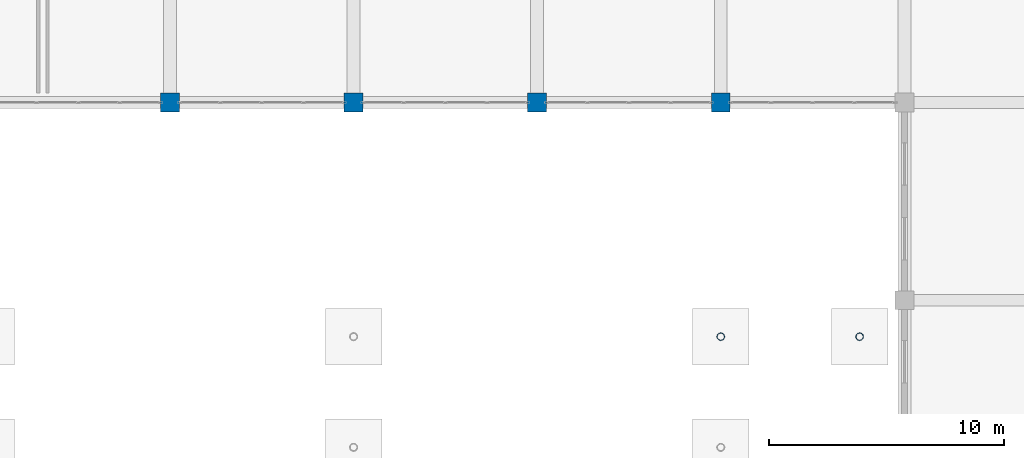
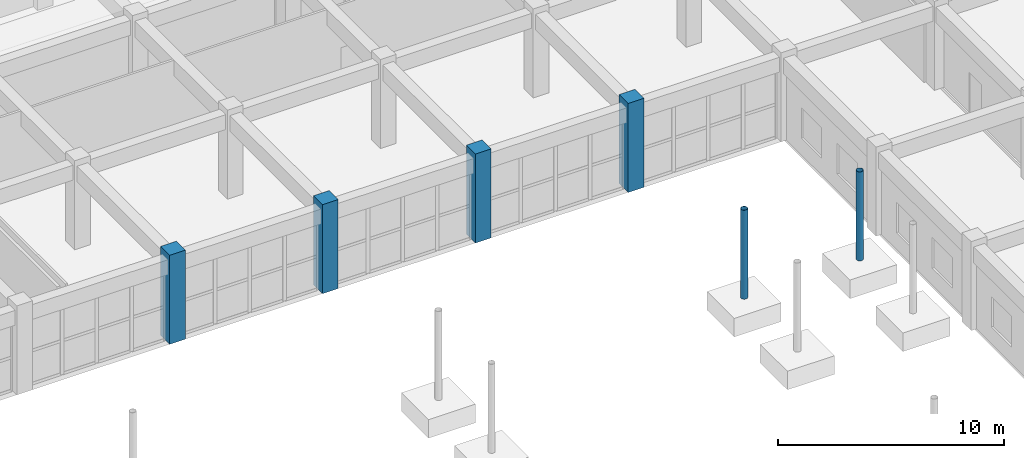
# One storey, part 8 of 139: 6 columns.
"""IFC4 building model written with IfcOpenShell, lengths in metres."""

from ifc_helpers import new_model, si_unit, direction, frame, origin, origin_2d, place, context, subcontext, project, spatial, rectangle, hollow_circle, extrude, material, material_profile, profile_set, type_object, element, save


model = new_model("IFC4")

# Units and contexts
model_context = context("Model", 3, precision=1e-05, world=origin(), true_north=direction((0.0, 1.0)))
body_context = subcontext(model_context, "Body", "Model", "MODEL_VIEW")
ifc_project = project(units=[si_unit("LENGTHUNIT", "METRE"), si_unit("AREAUNIT", "SQUARE_METRE"), si_unit("VOLUMEUNIT", "CUBIC_METRE"), si_unit("PLANEANGLEUNIT", "RADIAN"), si_unit("MASSUNIT", "GRAM", prefix="KILO")], contexts=[model_context])

# Site, building, storey
site_placement = place(None, origin())
site = spatial("IfcSite", under=ifc_project, at=site_placement, CompositionType="ELEMENT")
building_placement = place(site_placement, origin())
building = spatial("IfcBuilding", under=site, at=building_placement, Name="Zizhar Promenade General Hospital", CompositionType="ELEMENT")
storey_placement = place(building_placement, origin())
storey = spatial("IfcBuildingStorey", under=building, at=storey_placement, Name="L00", CompositionType="ELEMENT", Elevation=0.0)

# Columns
ifc_material_1 = material(Name="Concrete C40/50", Category="concrete")
ifc_material_profile_1 = material_profile(ifc_material_1, rectangle(XDim=0.800048828125, YDim=0.800048828125, at=origin_2d()))
ifc_profile_set_1 = profile_set([ifc_material_profile_1], Name="Concrete C40/50")
column_type_1 = type_object("IfcColumnType", Name="COL-RC-800", PredefinedType="COLUMN", material=ifc_profile_set_1)
for number, where, z_axis, x_axis, name in (
    (1, (93.60009765625, 92.39990234375, 0.0), (0.0, 0.0, 1.0), (1.0, 0.0, 0.0), "Column 13-M (L00)"),
    (2, (101.39990234375, 92.39990234375, 0.0), (0.0, 0.0, 1.0), (1.0, 0.0, 0.0), "Column 14-M (L00)"),
    (3, (109.199951171875, 92.39990234375, 0.0), (0.0, 0.0, 1.0), (1.0, 0.0, 0.0), "Column 15-M (L00)"),
    (4, (117.0, 92.39990234375, 0.0), (0.0, 0.0, 1.0), (1.0, 0.0, 0.0), "Column 16-M (L00)"),
):
    element("IfcColumn", number, at=place(storey_placement, frame(where, z_axis=z_axis, x_axis=x_axis)), inside=storey, type_object=column_type_1, Name=name, PredefinedType="COLUMN", context=body_context, shape_type="SweptSolid", body=[
        extrude(rectangle(XDim=0.800048828125, YDim=0.800048828125, at=origin_2d()), origin(), (0.0, 0.0, 1.0), 4.800048828125),
    ])
ifc_material_2 = material(Name="Steel S355", Category="steel")
ifc_material_profile_2 = material_profile(ifc_material_2, hollow_circle(Radius=0.161865234375, WallThickness=0.012451171875, at=origin_2d()))
ifc_profile_set_2 = profile_set([ifc_material_profile_2], Name="Steel S355")
column_type_2 = type_object("IfcColumnType", Name="COL-STL-CHS324", PredefinedType="COLUMN", material=ifc_profile_set_2)
for number, where, z_axis, x_axis, name in (
    (5, (117.0, 82.449951171875, 0.0), (0.0, 0.0, 1.0), (1.0, 0.0, 0.0), "SB-2 Courtyard Pier 3N (L00)"),
    (6, (122.89990234375, 82.449951171875, 0.0), (0.0, 0.0, 1.0), (1.0, 0.0, 0.0), "SB-2 Abutment Pier 2N (L00)"),
):
    element("IfcColumn", number, at=place(storey_placement, frame(where, z_axis=z_axis, x_axis=x_axis)), inside=storey, type_object=column_type_2, Name=name, PredefinedType="COLUMN", context=body_context, shape_type="SweptSolid", body=[
        extrude(hollow_circle(Radius=0.161865234375, WallThickness=0.012451171875, at=origin_2d()), origin(), (0.0, 0.0, 1.0), 4.800048828125),
    ])

save(model, "model.ifc")
